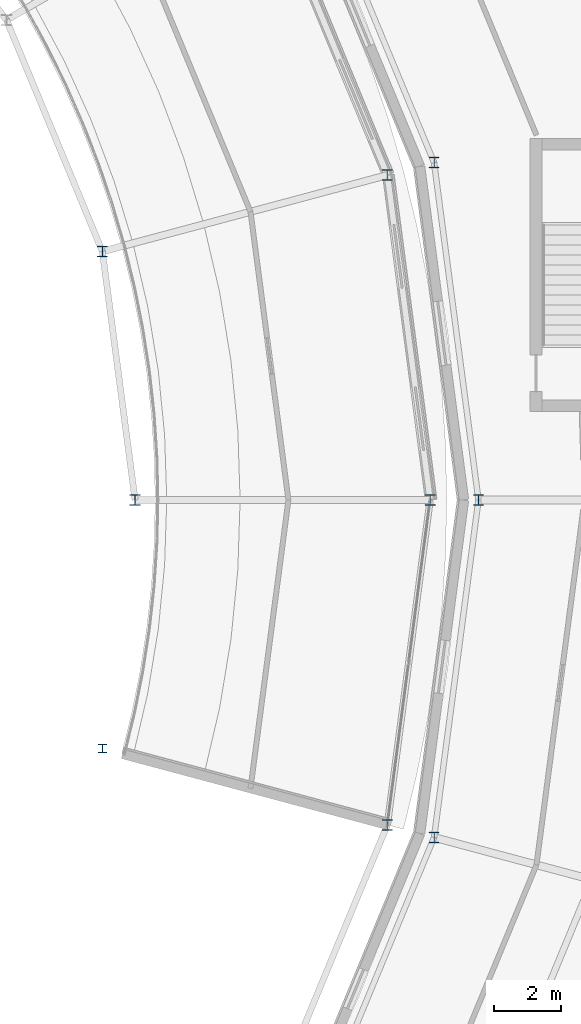
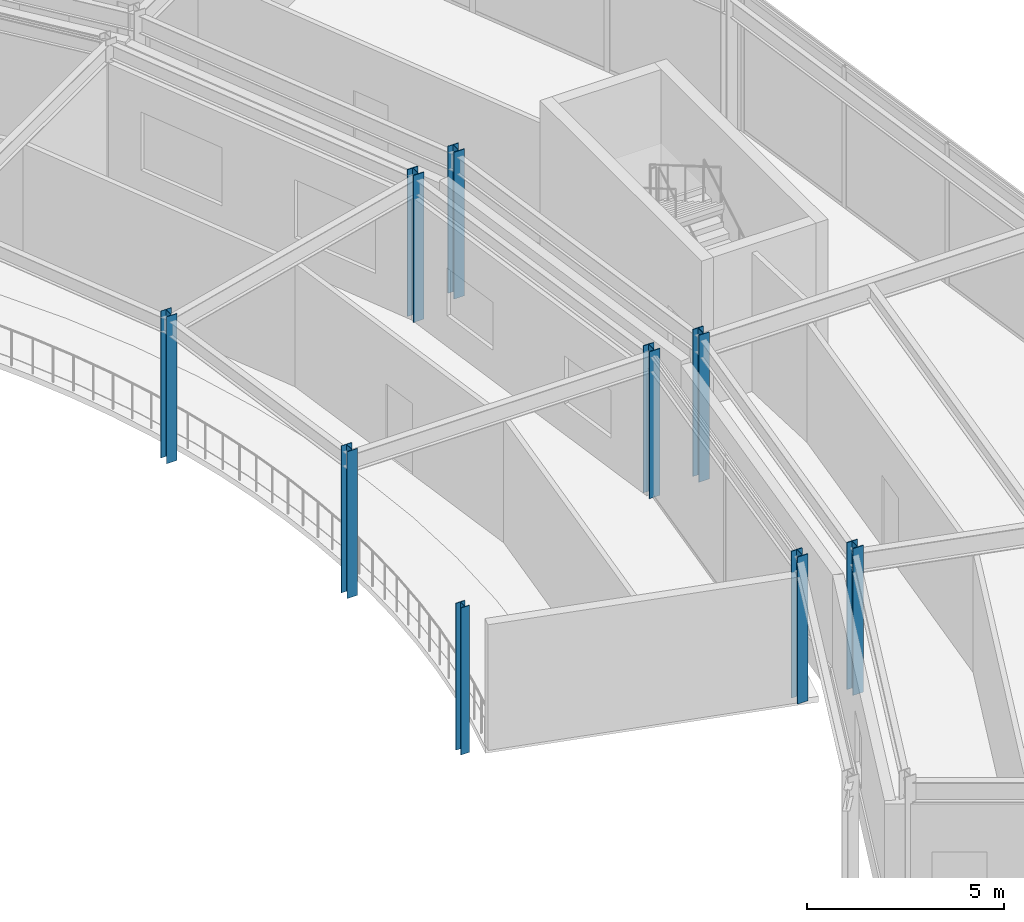
# One storey, part 8 of 133: 9 columns.
"""IFC4 building model written with IfcOpenShell, lengths in metres."""

from ifc_helpers import new_model, si_unit, direction, frame, origin, origin_2d, place, context, subcontext, project, spatial, i_section, extrude, material, material_profile, profile_set, type_object, element, save


model = new_model("IFC4")

# Units and contexts
model_context = context("Model", 3, precision=1e-05, world=origin(), true_north=direction((0.0, 1.0)))
body_context = subcontext(model_context, "Body", "Model", "MODEL_VIEW")
ifc_project = project(units=[si_unit("LENGTHUNIT", "METRE"), si_unit("AREAUNIT", "SQUARE_METRE"), si_unit("VOLUMEUNIT", "CUBIC_METRE"), si_unit("PLANEANGLEUNIT", "RADIAN"), si_unit("MASSUNIT", "GRAM", prefix="KILO")], contexts=[model_context])

# Site, building, storey
site_placement = place(None, origin())
site = spatial("IfcSite", under=ifc_project, at=site_placement, CompositionType="ELEMENT")
building_placement = place(site_placement, origin())
building = spatial("IfcBuilding", under=site, at=building_placement, Name="Almandine Court Research Institute", CompositionType="ELEMENT")
storey_placement = place(building_placement, frame((0.0, 0.0, 9.800048828125)))
storey = spatial("IfcBuildingStorey", under=building, at=storey_placement, Name="L02", CompositionType="ELEMENT", Elevation=9.800048828125)

# Columns
ifc_material = material(Name="Steel ASTM A992 Grade 50", Category="steel")
ifc_material_profile_1 = material_profile(ifc_material, i_section(OverallWidth=0.31005859375, OverallDepth=0.326904296875, WebThickness=0.01611328125, FlangeThickness=0.02490234375, at=origin_2d()), Name="W310x158")
ifc_profile_set_1 = profile_set([ifc_material_profile_1], Name="Steel ASTM A992 Grade 50")
column_type_1 = type_object("IfcColumnType", Name="Col-C-W06", PredefinedType="COLUMN", material=ifc_profile_set_1)
for number, where, z_axis, x_axis, name in (
    (1, (124.64990234375, 56.0, 0.0), (0.0, 0.0, 1.0), (1.0, 0.0, 0.0), "L02 V2 Column V2-OUT-S00"),
    (2, (123.366943359375, 65.7451171875, 0.0), (0.0, 0.0, 1.0), (1.0, 0.0, 0.0), "L02 V2 Column V2-OUT-S01"),
    (3, (123.366943359375, 46.2548828125, 0.0), (0.0, 0.0, 1.0), (1.0, 0.0, 0.0), "L02 V2 Column V2-OUT-S23"),
):
    element("IfcColumn", number, at=place(storey_placement, frame(where, z_axis=z_axis, x_axis=x_axis)), inside=storey, type_object=column_type_1, Name=name, PredefinedType="COLUMN", context=body_context, shape_type="SweptSolid", body=[
        extrude(i_section(OverallWidth=0.31005859375, OverallDepth=0.326904296875, WebThickness=0.01611328125, FlangeThickness=0.02490234375, at=origin_2d()), origin(), (0.0, 0.0, 1.0), 4.550048828125),
    ])
ifc_material_profile_2 = material_profile(ifc_material, i_section(OverallWidth=0.31005859375, OverallDepth=0.326904296875, WebThickness=0.01611328125, FlangeThickness=0.02490234375, at=origin_2d()), Name="W310x158")
ifc_profile_set_2 = profile_set([ifc_material_profile_2], Name="Steel ASTM A992 Grade 50")
column_type_2 = type_object("IfcColumnType", Name="Col-C-W06-E", PredefinedType="COLUMN", material=ifc_profile_set_2)
for number, where, z_axis, x_axis, name in (
    (4, (126.10009765625, 56.0, 0.0), (0.0, 0.0, 1.0), (1.0, 0.0, 0.0), "L02 V5 Column V5-IN-S00"),
    (5, (124.76806640625, 66.1201171875, 0.0), (0.0, 0.0, 1.0), (1.0, 0.0, 0.0), "L02 V5 Column V5-IN-S01"),
    (6, (124.76806640625, 45.8798828125, 0.0), (0.0, 0.0, 1.0), (1.0, 0.0, 0.0), "L02 V5 Column V5-IN-S23"),
):
    element("IfcColumn", number, at=place(storey_placement, frame(where, z_axis=z_axis, x_axis=x_axis)), inside=storey, type_object=column_type_2, Name=name, PredefinedType="COLUMN", context=body_context, shape_type="SweptSolid", body=[
        extrude(i_section(OverallWidth=0.31005859375, OverallDepth=0.326904296875, WebThickness=0.01611328125, FlangeThickness=0.02490234375, at=origin_2d()), origin(), (0.0, 0.0, 1.0), 4.550048828125),
    ])
ifc_material_profile_3 = material_profile(ifc_material, i_section(OverallWidth=0.305908203125, OverallDepth=0.31103515625, WebThickness=0.010986328125, FlangeThickness=0.01708984375, at=origin_2d()), Name="W310x107")
ifc_profile_set_3 = profile_set([ifc_material_profile_3], Name="Steel ASTM A992 Grade 50")
column_type_3 = type_object("IfcColumnType", Name="Col-C-W08", PredefinedType="COLUMN", material=ifc_profile_set_3)
for number, where, z_axis, x_axis, name in (
    (7, (115.800048828125, 56.0, 0.0), (0.0, 0.0, 1.0), (1.0, 0.0, 0.0), "L02 V2 Column V2-MID-S00"),
    (8, (114.819091796875, 63.4541015625, 0.0), (0.0, 0.0, 1.0), (1.0, 0.0, 0.0), "L02 V2 Column V2-MID-S01"),
):
    element("IfcColumn", number, at=place(storey_placement, frame(where, z_axis=z_axis, x_axis=x_axis)), inside=storey, type_object=column_type_3, Name=name, PredefinedType="COLUMN", context=body_context, shape_type="SweptSolid", body=[
        extrude(i_section(OverallWidth=0.305908203125, OverallDepth=0.31103515625, WebThickness=0.010986328125, FlangeThickness=0.01708984375, at=origin_2d()), origin(), (0.0, 0.0, 1.0), 4.550048828125),
    ])
ifc_material_profile_4 = material_profile(ifc_material, i_section(OverallWidth=0.257080078125, OverallDepth=0.263916015625, WebThickness=0.011962890625, FlangeThickness=0.02001953125, at=origin_2d()), Name="W250x101")
ifc_profile_set_4 = profile_set([ifc_material_profile_4], Name="Steel ASTM A992 Grade 50")
column_type_4 = type_object("IfcColumnType", Name="Col-C-W09", PredefinedType="COLUMN", material=ifc_profile_set_4)
column_placement = place(storey_placement, frame((114.819091796875, 48.5458984375, 0.0), z_axis=(0.0, 0.0, 1.0), x_axis=(1.0, 0.0, 0.0)))
element("IfcColumn", 9, at=column_placement, inside=storey, type_object=column_type_4, Name="L02 V2 Column V2-MID-S23", PredefinedType="COLUMN", context=body_context, shape_type="SweptSolid", body=[
    extrude(i_section(OverallWidth=0.257080078125, OverallDepth=0.263916015625, WebThickness=0.011962890625, FlangeThickness=0.02001953125, at=origin_2d()), origin(), (0.0, 0.0, 1.0), 4.550048828125),
])

save(model, "model.ifc")
